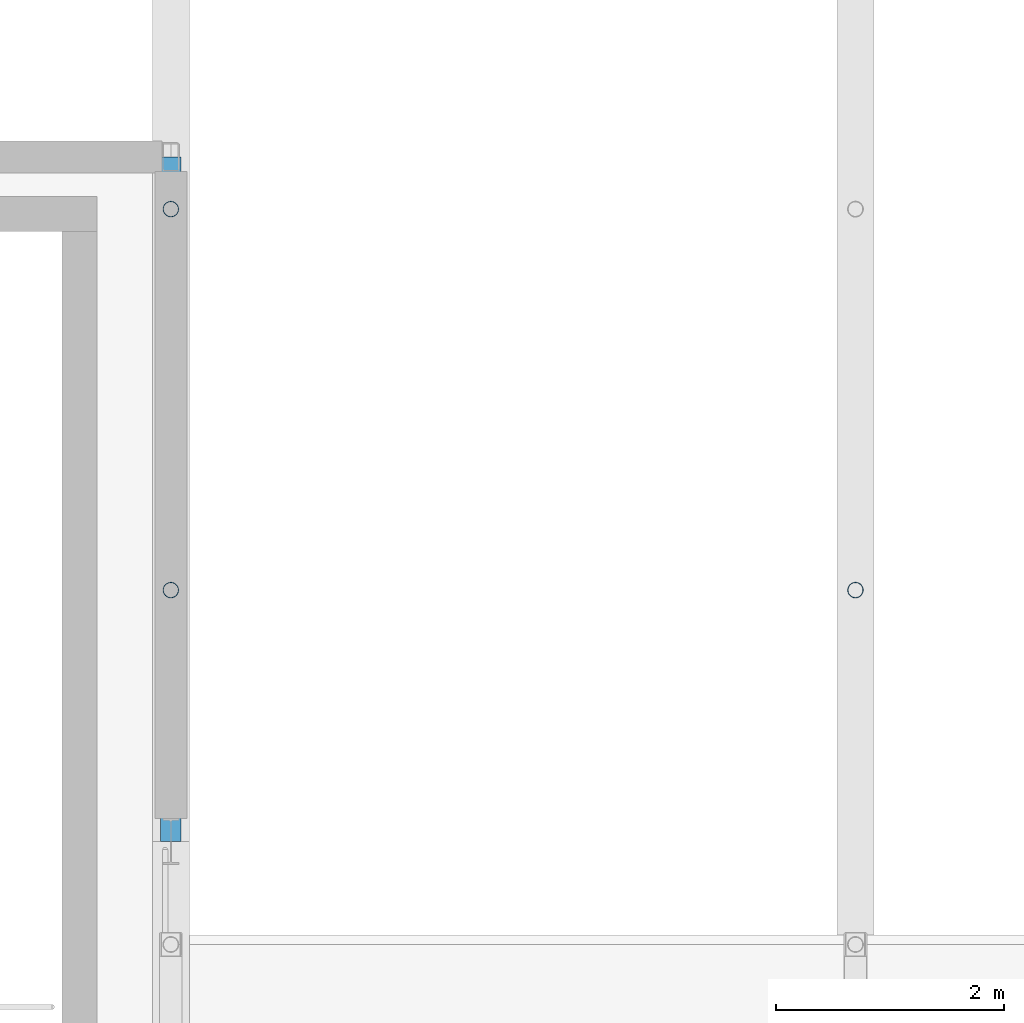
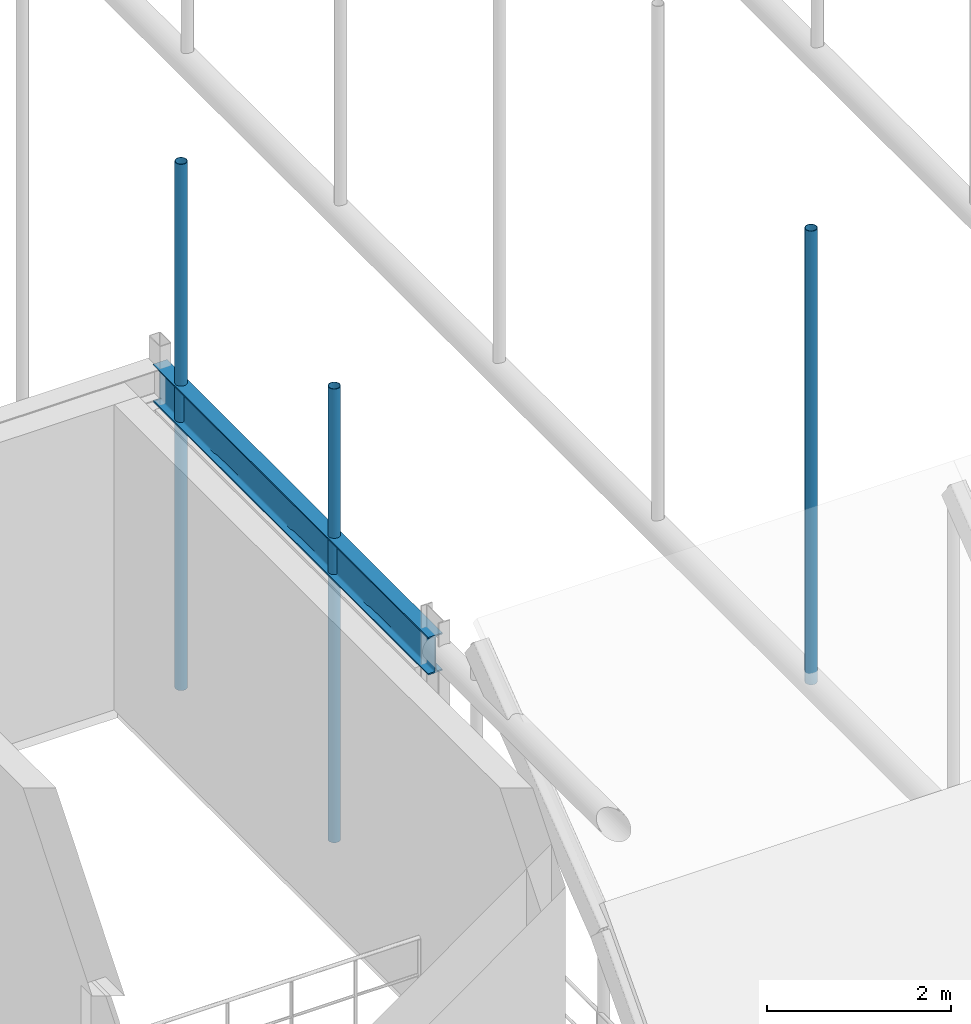
# One storey, part 29 of 116: 3 members, 1 beam.
"""IFC4 building model written with IfcOpenShell, lengths in metres."""

from ifc_helpers import new_model, si_unit, direction, frame, origin, origin_2d, place, context, subcontext, project, spatial, hollow_circle, i_section, extrude, material, material_profile, profile_set, type_object, element, save


model = new_model("IFC4")

# Units and contexts
model_context = context("Model", 3, precision=1e-05, world=origin(), true_north=direction((0.0, 1.0)))
body_context = subcontext(model_context, "Body", "Model", "MODEL_VIEW")
ifc_project = project(units=[si_unit("LENGTHUNIT", "METRE"), si_unit("AREAUNIT", "SQUARE_METRE"), si_unit("VOLUMEUNIT", "CUBIC_METRE"), si_unit("PLANEANGLEUNIT", "RADIAN"), si_unit("MASSUNIT", "GRAM", prefix="KILO")], contexts=[model_context])

# Site, building, storey
site_placement = place(None, origin())
site = spatial("IfcSite", under=ifc_project, at=site_placement, CompositionType="ELEMENT")
building_placement = place(site_placement, origin())
building = spatial("IfcBuilding", under=site, at=building_placement, Name="Varnakota Square Police Headquarters", CompositionType="ELEMENT")
storey_placement = place(building_placement, frame((0.0, 0.0, 9.300048828125)))
storey = spatial("IfcBuildingStorey", under=building, at=storey_placement, Name="L02", CompositionType="ELEMENT", Elevation=9.300048828125)

# Beam
ifc_material = material(Name="Steel IS 2062 Grade 350", Category="steel")
ifc_material_profile_1 = material_profile(ifc_material, i_section(OverallWidth=0.179931640625, OverallDepth=0.5, WebThickness=0.01025390625, FlangeThickness=0.01708984375, FilletRadius=0.01708984375, at=origin_2d()), Name="ISMB 500")
ifc_profile_set_1 = profile_set([ifc_material_profile_1], Name="Steel IS 2062 Grade 350")
beam_type = type_object("IfcBeamType", Name="BM-ISMB500", PredefinedType="BEAM", material=ifc_profile_set_1)
beam_placement = place(storey_placement, frame((54.0, 15.0, 3.64990234375), z_axis=(0.0, 1.0, 0.0), x_axis=(-1.0, 0.0, 0.0)))
element("IfcBeam", 1, at=beam_placement, inside=storey, type_object=beam_type, Name="BMG-L02-2202", PredefinedType="BEAM", context=body_context, shape_type="SweptSolid", body=[
    extrude(i_section(OverallWidth=0.179931640625, OverallDepth=0.5, WebThickness=0.01025390625, FlangeThickness=0.01708984375, FilletRadius=0.01708984375, at=origin_2d()), origin(), (0.0, 0.0, 1.0), 6.0),
])

# Members
ifc_material_profile_2 = material_profile(ifc_material, hollow_circle(Radius=0.06982421875, WallThickness=0.006103515625, at=origin_2d()), Name="CHS 139.7x6.0")
ifc_profile_set_2 = profile_set([ifc_material_profile_2], Name="Steel IS 2062 Grade 350")
member_type = type_object("IfcMemberType", Name="MEM-HNG-CHS139", PredefinedType="STRUT", material=ifc_profile_set_2)
member_1_placement = place(storey_placement, frame((54.0, 17.20361328125, -0.150146484375), z_axis=(0.0, 0.0, 1.0), x_axis=(1.0, 0.0, 0.0)))
element("IfcMember", 2, at=member_1_placement, inside=storey, type_object=member_type, Name="Barrel vault hanger strut V1-R01-N3", PredefinedType="STRUT", context=body_context, shape_type="SweptSolid", body=[
    extrude(hollow_circle(Radius=0.06982421875, WallThickness=0.006103515625, at=origin_2d()), origin(), (0.0, 0.0, 1.0), 6.035400390625),
])
member_2_placement = place(storey_placement, frame((54.0, 20.54248046875, -0.150146484375), z_axis=(0.0, 0.0, 1.0), x_axis=(1.0, 0.0, 0.0)))
element("IfcMember", 3, at=member_2_placement, inside=storey, type_object=member_type, Name="Barrel vault hanger strut V1-R01-N4", PredefinedType="STRUT", context=body_context, shape_type="SweptSolid", body=[
    extrude(hollow_circle(Radius=0.06982421875, WallThickness=0.006103515625, at=origin_2d()), origin(), (0.0, 0.0, 1.0), 7.0),
])
member_3_placement = place(storey_placement, frame((60.0, 17.20361328125, -0.150146484375), z_axis=(0.0, 0.0, 1.0), x_axis=(1.0, 0.0, 0.0)))
element("IfcMember", 4, at=member_3_placement, inside=storey, type_object=member_type, Name="Barrel vault hanger strut V1-R02-N3", PredefinedType="STRUT", context=body_context, shape_type="SweptSolid", body=[
    extrude(hollow_circle(Radius=0.06982421875, WallThickness=0.006103515625, at=origin_2d()), origin(), (0.0, 0.0, 1.0), 6.035400390625),
])

save(model, "model.ifc")
